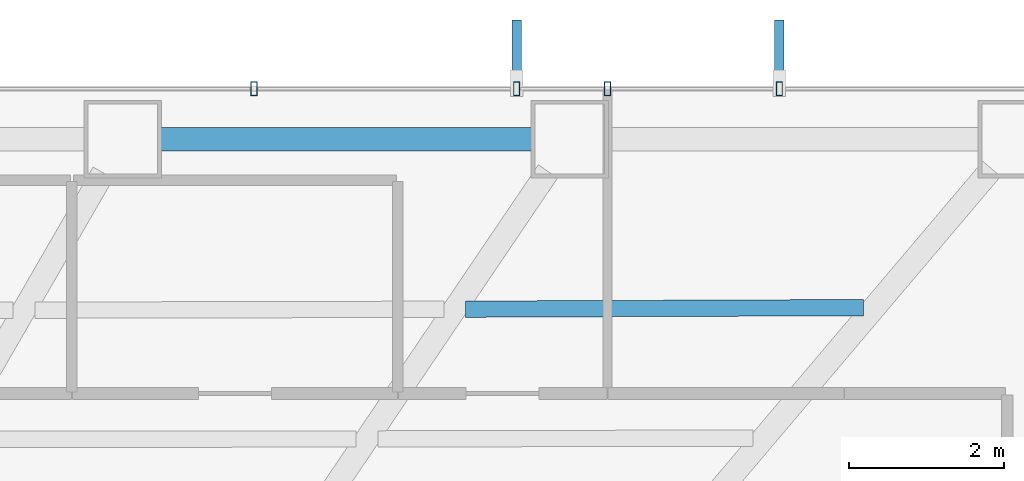
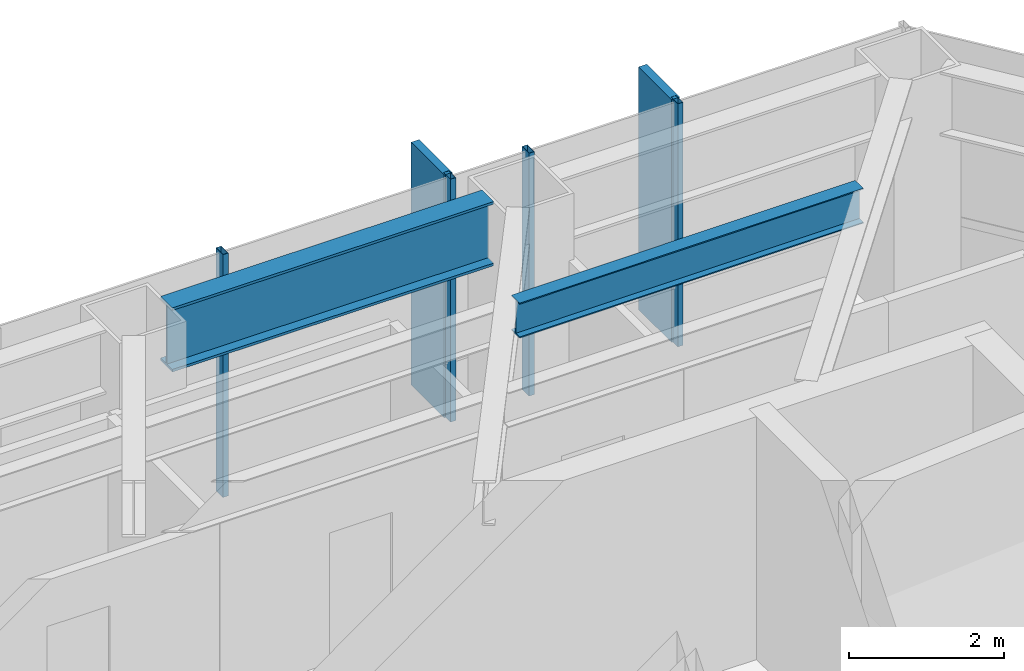
# One storey, part 15 of 25: 6 members, 2 beams, 1 element without a shape of its own.
"""IFC4 building model written with IfcOpenShell, lengths in metres."""

from ifc_helpers import new_model, si_unit, direction, frame, origin, origin_2d, place, context, subcontext, project, spatial, rectangle, hollow_rectangle, i_section, extrude, material, layer, layer_set, material_profile, profile_set, type_object, element, aggregate, save


model = new_model("IFC4")

# Units and contexts
model_context = context("Model", 3, precision=1e-05, world=origin(), true_north=direction((0.0, 1.0)))
body_context = subcontext(model_context, "Body", "Model", "MODEL_VIEW")
ifc_project = project(units=[si_unit("LENGTHUNIT", "METRE"), si_unit("AREAUNIT", "SQUARE_METRE"), si_unit("VOLUMEUNIT", "CUBIC_METRE"), si_unit("PLANEANGLEUNIT", "RADIAN"), si_unit("MASSUNIT", "GRAM", prefix="KILO")], contexts=[model_context])

# Site, building, storey
site_placement = place(None, origin())
site = spatial("IfcSite", under=ifc_project, at=site_placement, CompositionType="ELEMENT")
building_placement = place(site_placement, origin())
building = spatial("IfcBuilding", under=site, at=building_placement, Name="Zarrinselat Tower", CompositionType="ELEMENT")
storey_placement = place(building_placement, frame((0.0, 0.0, 56.10009765625)))
storey = spatial("IfcBuildingStorey", under=building, at=storey_placement, Name="L13", CompositionType="ELEMENT", Elevation=56.10009765625)

# Beams
ifc_material_1 = material(Name="Steel S460M", Category="steel")
ifc_material_profile_1 = material_profile(ifc_material_1, i_section(OverallWidth=0.302001953125, OverallDepth=1.008056640625, WebThickness=0.02099609375, FlangeThickness=0.0400390625, at=origin_2d()), Name="HEM 1000")
ifc_profile_set_1 = profile_set([ifc_material_profile_1], Name="Steel S460M")
beam_type_1 = type_object("IfcBeamType", Name="BM-HEM1000", PredefinedType="BEAM", material=ifc_profile_set_1)
beam_1_placement = place(storey_placement, frame((39.542236328125, 49.27783203125, 3.31591796875), z_axis=(1.0, 0.0, 0.0), x_axis=(0.0, 1.0, 0.0)))
element("IfcBeam", 1, at=beam_1_placement, inside=storey, type_object=beam_type_1, Name="L13 Perimeter Spandrel Girder SP02", PredefinedType="BEAM", context=body_context, shape_type="SweptSolid", body=[
    extrude(i_section(OverallWidth=0.302001953125, OverallDepth=1.008056640625, WebThickness=0.02099609375, FlangeThickness=0.0400390625, at=origin_2d()), origin(), (0.0, 0.0, 1.0), 4.7841796875),
])
ifc_material_2 = material(Name="Steel S355J2", Category="steel")
ifc_material_profile_2 = material_profile(ifc_material_2, i_section(OverallWidth=0.2099609375, OverallDepth=0.550048828125, WebThickness=0.010986328125, FlangeThickness=0.01708984375, at=origin_2d()), Name="IPE 550")
ifc_profile_set_2 = profile_set([ifc_material_profile_2], Name="Steel S355J2")
beam_type_2 = type_object("IfcBeamType", Name="BM-IPE550", PredefinedType="JOIST", material=ifc_profile_set_2)
beam_2_placement = place(storey_placement, frame((43.4716796875, 47.087158203125, 3.544921875), z_axis=(0.999992184224, 0.003953667951, 0.0), x_axis=(-0.003953667951, 0.999992184224, 0.0)))
element("IfcBeam", 2, at=beam_2_placement, inside=storey, type_object=beam_type_2, Name="L13 Composite Floor Joist 7-1", PredefinedType="JOIST", context=body_context, shape_type="SweptSolid", body=[
    extrude(i_section(OverallWidth=0.2099609375, OverallDepth=0.550048828125, WebThickness=0.010986328125, FlangeThickness=0.01708984375, at=origin_2d()), origin(), (0.0, 0.0, 1.0), 5.125244140625),
])

# Curtain wall, members
ifc_material_3 = material(Name="Extruded Aluminium Alloy EN AW-6063 T6", Category="aluminium")
ifc_layer = layer(ifc_material_3, 0.18505859375)
ifc_layer_set = layer_set([ifc_layer], Name="Extruded Aluminium Alloy EN AW-6063 T6")
curtain_wall_type = type_object("IfcCurtainWallType", Name="CWS-OFF", PredefinedType="NOTDEFINED", material=ifc_layer_set)
curtain_wall_placement = place(storey_placement, origin())
curtain_wall = element("IfcCurtainWall", 3, at=curtain_wall_placement, inside=storey, type_object=curtain_wall_type, Name="L13 Unitised Curtain Wall CW-L13-E01", PredefinedType="NOTDEFINED")
ifc_material_4 = material(Name="Extruded Aluminium Alloy EN AW-6063 T6", Category="aluminium")
ifc_material_profile_3 = material_profile(ifc_material_4, hollow_rectangle(XDim=0.080078125, YDim=0.179931640625, WallThickness=0.0048828125, at=origin_2d()), Name="RHS 180x80x5")
ifc_profile_set_3 = profile_set([ifc_material_profile_3], Name="Extruded Aluminium Alloy EN AW-6063 T6")
member_type_1 = type_object("IfcMemberType", Name="MEM-CW-MUL", PredefinedType="MULLION", material=ifc_profile_set_3)
member_1_placement = place(storey_placement, frame((47.513427734375, 49.927734375, 0.0), z_axis=(0.0, 0.0, 1.0), x_axis=(-1.0, 0.0, 0.0)))
member_1 = element("IfcMember", 4, at=member_1_placement, type_object=member_type_1, Name="CW-L13-E01 Mullion 1", PredefinedType="MULLION", context=body_context, shape_type="SweptSolid", body=[
    extrude(hollow_rectangle(XDim=0.080078125, YDim=0.179931640625, WallThickness=0.0048828125, at=origin_2d()), origin(), (0.0, 0.0, 1.0), 3.81982421875),
])
member_2_placement = place(storey_placement, frame((45.300048828125, 49.927734375, 0.0), z_axis=(0.0, 0.0, 1.0), x_axis=(-1.0, 0.0, 0.0)))
member_2 = element("IfcMember", 5, at=member_2_placement, type_object=member_type_1, Name="CW-L13-E01 Mullion 2", PredefinedType="MULLION", context=body_context, shape_type="SweptSolid", body=[
    extrude(hollow_rectangle(XDim=0.080078125, YDim=0.179931640625, WallThickness=0.0048828125, at=origin_2d()), origin(), (0.0, 0.0, 1.0), 3.81982421875),
])
member_3_placement = place(storey_placement, frame((44.1298828125, 49.927734375, 0.0), z_axis=(0.0, 0.0, 1.0), x_axis=(-1.0, 0.0, 0.0)))
member_3 = element("IfcMember", 6, at=member_3_placement, type_object=member_type_1, Name="CW-L13-E01 Mullion 3", PredefinedType="MULLION", context=body_context, shape_type="SweptSolid", body=[
    extrude(hollow_rectangle(XDim=0.080078125, YDim=0.179931640625, WallThickness=0.0048828125, at=origin_2d()), origin(), (0.0, 0.0, 1.0), 3.81982421875),
])
member_4_placement = place(storey_placement, frame((40.74609375, 49.927734375, 0.0), z_axis=(0.0, 0.0, 1.0), x_axis=(-1.0, 0.0, 0.0)))
member_4 = element("IfcMember", 7, at=member_4_placement, type_object=member_type_1, Name="CW-L13-E01 Mullion 4", PredefinedType="MULLION", context=body_context, shape_type="SweptSolid", body=[
    extrude(hollow_rectangle(XDim=0.080078125, YDim=0.179931640625, WallThickness=0.0048828125, at=origin_2d()), origin(), (0.0, 0.0, 1.0), 3.81982421875),
])
ifc_material_5 = material(Name="Honed Cream Travertine Stone", Category="masonry")
ifc_material_profile_4 = material_profile(ifc_material_5, rectangle(XDim=0.1201171875, YDim=0.85009765625, at=origin_2d()), Name="FIN 850x120")
ifc_profile_set_4 = profile_set([ifc_material_profile_4], Name="Honed Cream Travertine Stone")
member_type_2 = type_object("IfcMemberType", Name="MEM-STONE-FIN", PredefinedType="USERDEFINED", material=ifc_profile_set_4)
member_5_placement = place(storey_placement, frame((47.513427734375, 50.3876953125, 0.0), z_axis=(0.0, 0.0, 1.0), x_axis=(1.0, 0.0, 0.0)))
member_5 = element("IfcMember", 8, at=member_5_placement, type_object=member_type_2, Name="L13 Stone Shading Fin CW-L13-E01-01", ObjectType="FIN", PredefinedType="USERDEFINED", context=body_context, shape_type="SweptSolid", body=[
    extrude(rectangle(XDim=0.1201171875, YDim=0.85009765625, at=origin_2d()), origin(), (0.0, 0.0, 1.0), 3.81982421875),
])
member_6_placement = place(storey_placement, frame((44.1298828125, 50.3876953125, 0.0), z_axis=(0.0, 0.0, 1.0), x_axis=(1.0, 0.0, 0.0)))
member_6 = element("IfcMember", 9, at=member_6_placement, type_object=member_type_2, Name="L13 Stone Shading Fin CW-L13-E01-03", ObjectType="FIN", PredefinedType="USERDEFINED", context=body_context, shape_type="SweptSolid", body=[
    extrude(rectangle(XDim=0.1201171875, YDim=0.85009765625, at=origin_2d()), origin(), (0.0, 0.0, 1.0), 3.81982421875),
])
aggregate(curtain_wall, [member_1, member_5, member_2, member_3, member_6, member_4])

save(model, "model.ifc")
